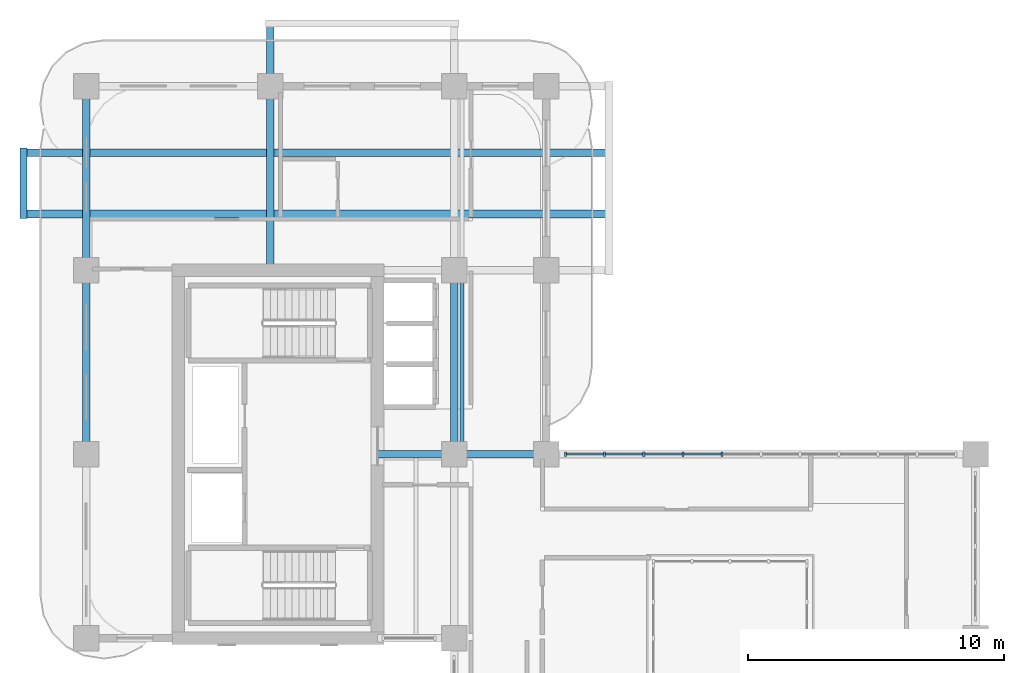
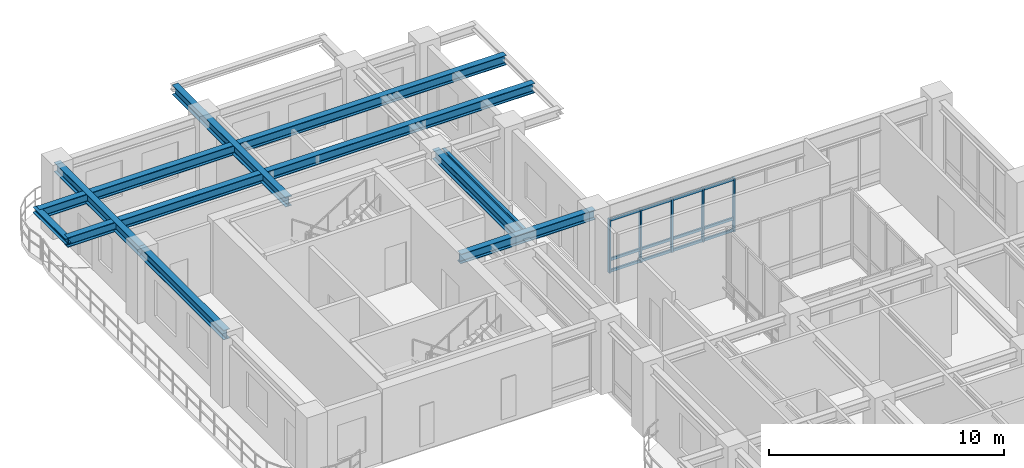
# One storey, part 5 of 21: 17 members, 9 beams, 1 element without a shape of its own.
"""IFC4 building model written with IfcOpenShell, lengths in metres."""

from ifc_helpers import new_model, si_unit, derived_unit, direction, frame, origin, origin_2d, place, context, subcontext, project, spatial, rectangle, i_section, extrude, source, transform, mapped, material, layer, layer_set, material_profile, profile_set, type_object, type_shapes, element, aggregate, save


model = new_model("IFC4")

# Units and contexts
model_context = context("Model", 3, precision=1e-05, world=origin(), true_north=direction((0.0, 1.0)))
body_context = subcontext(model_context, "Body", "Model", "MODEL_VIEW")
ifc_project = project(units=[si_unit("LENGTHUNIT", "METRE"), si_unit("AREAUNIT", "SQUARE_METRE"), si_unit("VOLUMEUNIT", "CUBIC_METRE"), si_unit("PLANEANGLEUNIT", "RADIAN"), si_unit("MASSUNIT", "GRAM", prefix="KILO"), si_unit("THERMODYNAMICTEMPERATUREUNIT", "KELVIN"), si_unit("POWERUNIT", "WATT"), derived_unit("THERMALTRANSMITTANCEUNIT", [(si_unit("POWERUNIT", "WATT"), 1), (si_unit("AREAUNIT", "SQUARE_METRE"), -1), (si_unit("THERMODYNAMICTEMPERATUREUNIT", "KELVIN"), -1)])], contexts=[model_context])

# Site, building, storey
site_placement = place(None, origin())
site = spatial("IfcSite", under=ifc_project, at=site_placement, CompositionType="ELEMENT")
building_placement = place(site_placement, origin())
building = spatial("IfcBuilding", under=site, at=building_placement, Name="Zahravan Archway Hotel and Residences", CompositionType="ELEMENT")
storey_placement = place(building_placement, frame((0.0, 0.0, 165.699951171875)))
storey = spatial("IfcBuildingStorey", under=building, at=storey_placement, Name="L41", CompositionType="ELEMENT", Elevation=165.699951171875)

# Beams
ifc_material_1 = material(Name="Structural Steel S355JR", Category="steel")
ifc_material_profile_1 = material_profile(ifc_material_1, i_section(OverallWidth=0.280029296875, OverallDepth=0.280029296875, WebThickness=0.010498046875, FlangeThickness=0.01806640625, FilletRadius=0.02392578125, at=origin_2d()), Name="HEB 280", Category="steel")
ifc_profile_set_1 = profile_set([ifc_material_profile_1], Name="Structural Steel S355JR")
beam_type_1 = type_object("IfcBeamType", Name="BM-SPN-HEB280", PredefinedType="SPANDREL", material=ifc_profile_set_1)
shared_shape_1 = source(origin(), body_context, "Body", "SweptSolid", [
    extrude(i_section(OverallWidth=0.280029296875, OverallDepth=0.280029296875, WebThickness=0.010498046875, FlangeThickness=0.01806640625, FilletRadius=0.02392578125, at=origin_2d()), origin(), (0.0, 0.0, 1.0), 2.759765625),
])
beam_1_placement = place(storey_placement, frame((-2.449951171875, 41.6201171875, 3.4599609375), z_axis=(0.0, 1.0, 0.0), x_axis=(-1.0, 0.0, 0.0)))
element("IfcBeam", 1, at=beam_1_placement, inside=storey, type_object=beam_type_1, Name="L42 WB Balcony Edge Spandrel", PredefinedType="SPANDREL", context=body_context, shape_type="MappedRepresentation", body=[
    mapped(shared_shape_1, transform((0.0, 0.0, 0.0), scale=1.0)),
])
ifc_material_profile_2 = material_profile(ifc_material_1, i_section(OverallWidth=0.300048828125, OverallDepth=0.5, WebThickness=0.014404296875, FlangeThickness=0.028076171875, FilletRadius=0.027099609375, at=origin_2d()), Name="HEB 500", Category="steel")
ifc_profile_set_2 = profile_set([ifc_material_profile_2], Name="Structural Steel S355JR")
beam_type_2 = type_object("IfcBeamType", Name="BM-PRI-HEB500", PredefinedType="BEAM", material=ifc_profile_set_2)
shared_shape_2 = source(origin(), body_context, "Body", "SweptSolid", [
    extrude(i_section(OverallWidth=0.300048828125, OverallDepth=0.5, WebThickness=0.014404296875, FlangeThickness=0.028076171875, FilletRadius=0.027099609375, at=origin_2d()), origin(), (0.0, 0.0, 1.0), 7.2001953125),
])
type_shapes(beam_type_2, [shared_shape_2])
for number, where, z_axis, x_axis, name in (
    (2, (0.0, 32.39990234375, 3.35009765625), (0.0, 1.0, 0.0), (-1.0, 0.0, 0.0), "L41 Primary Girder NS-25"),
    (3, (14.39990234375, 32.39990234375, 3.35009765625), (0.0, 1.0, 0.0), (-1.0, 0.0, 0.0), "L41 Primary Girder NS-33"),
):
    element("IfcBeam", number, at=place(storey_placement, frame(where, z_axis=z_axis, x_axis=x_axis)), inside=storey, type_object=beam_type_2, Name=name, PredefinedType="BEAM", context=body_context, shape_type="MappedRepresentation", body=[
        mapped(shared_shape_2, transform((0.0, 0.0, 0.0), scale=1.0)),
    ])
shared_shape_3 = source(origin(), body_context, "Body", "SweptSolid", [
    extrude(i_section(OverallWidth=0.300048828125, OverallDepth=0.5, WebThickness=0.014404296875, FlangeThickness=0.028076171875, FilletRadius=0.027099609375, at=origin_2d()), origin(), (0.0, 0.0, 1.0), 7.199951171875),
])
beam_2_placement = place(storey_placement, frame((0.0, 39.60009765625, 3.35009765625), z_axis=(0.0, 1.0, 0.0), x_axis=(-1.0, 0.0, 0.0)))
element("IfcBeam", 4, at=beam_2_placement, inside=storey, type_object=beam_type_2, Name="L41 Primary Girder NS-26", PredefinedType="BEAM", context=body_context, shape_type="MappedRepresentation", body=[
    mapped(shared_shape_3, transform((0.0, 0.0, 0.0), scale=1.0)),
])
shared_shape_4 = source(origin(), body_context, "Body", "SweptSolid", [
    extrude(i_section(OverallWidth=0.300048828125, OverallDepth=0.5, WebThickness=0.014404296875, FlangeThickness=0.028076171875, FilletRadius=0.027099609375, at=origin_2d()), origin(), (0.0, 0.0, 1.0), 6.60009765625),
])
beam_3_placement = place(storey_placement, frame((11.39990234375, 32.39990234375, 3.35009765625), z_axis=(1.0, 0.0, 0.0), x_axis=(0.0, 1.0, 0.0)))
element("IfcBeam", 5, at=beam_3_placement, inside=storey, type_object=beam_type_2, Name="L41 Primary Girder EW-17", PredefinedType="BEAM", context=body_context, shape_type="MappedRepresentation", body=[
    mapped(shared_shape_4, transform((0.0, 0.0, 0.0), scale=1.0)),
])
shared_shape_5 = source(origin(), body_context, "Body", "SweptSolid", [
    extrude(i_section(OverallWidth=0.300048828125, OverallDepth=0.5, WebThickness=0.014404296875, FlangeThickness=0.028076171875, FilletRadius=0.027099609375, at=origin_2d()), origin(), (0.0, 0.0, 1.0), 22.89990234375),
])
for number, where, z_axis, x_axis, name in (
    (6, (-2.449951171875, 41.800048828125, 3.35009765625), (1.0, 0.0, 0.0), (0.0, 1.0, 0.0), "L41 Primary Girder EW-22"),
    (7, (-2.449951171875, 44.199951171875, 3.35009765625), (1.0, 0.0, 0.0), (0.0, 1.0, 0.0), "L41 Primary Girder EW-23"),
):
    element("IfcBeam", number, at=place(storey_placement, frame(where, z_axis=z_axis, x_axis=x_axis)), inside=storey, type_object=beam_type_2, Name=name, PredefinedType="BEAM", context=body_context, shape_type="MappedRepresentation", body=[
        mapped(shared_shape_5, transform((0.0, 0.0, 0.0), scale=1.0)),
    ])
shared_shape_6 = source(origin(), body_context, "Body", "SweptSolid", [
    extrude(i_section(OverallWidth=0.300048828125, OverallDepth=0.5, WebThickness=0.014404296875, FlangeThickness=0.028076171875, FilletRadius=0.027099609375, at=origin_2d()), origin(), (0.0, 0.0, 1.0), 9.64990234375),
])
beam_4_placement = place(storey_placement, frame((7.199951171875, 39.60009765625, 3.35009765625), z_axis=(0.0, 1.0, 0.0), x_axis=(-1.0, 0.0, 0.0)))
element("IfcBeam", 8, at=beam_4_placement, inside=storey, type_object=beam_type_2, Name="L41 Primary Girder NS-27", PredefinedType="BEAM", context=body_context, shape_type="MappedRepresentation", body=[
    mapped(shared_shape_6, transform((0.0, 0.0, 0.0), scale=1.0)),
])
ifc_material_profile_3 = material_profile(ifc_material_1, i_section(OverallWidth=0.14990234375, OverallDepth=0.300048828125, WebThickness=0.007080078125, FlangeThickness=0.0107421875, FilletRadius=0.014892578125, at=origin_2d()), Name="IPE 300", Category="steel")
ifc_profile_set_3 = profile_set([ifc_material_profile_3], Name="Structural Steel S355JR")
beam_type_3 = type_object("IfcBeamType", Name="BM-JST-IPE300", PredefinedType="JOIST", material=ifc_profile_set_3)
shared_shape_7 = source(origin(), body_context, "Body", "SweptSolid", [
    extrude(i_section(OverallWidth=0.14990234375, OverallDepth=0.300048828125, WebThickness=0.007080078125, FlangeThickness=0.0107421875, FilletRadius=0.014892578125, at=origin_2d()), origin(), (0.0, 0.0, 1.0), 6.90380859375),
])
beam_5_placement = place(storey_placement, frame((14.699951171875, 32.548095703125, 3.449951171875), z_axis=(0.0, 1.0, 0.0), x_axis=(-1.0, 0.0, 0.0)))
element("IfcBeam", 9, at=beam_5_placement, inside=storey, type_object=beam_type_3, Name="L41 Composite Floor Joist 11", PredefinedType="JOIST", context=body_context, shape_type="MappedRepresentation", body=[
    mapped(shared_shape_7, transform((0.0, 0.0, 0.0), scale=1.0)),
])

# Curtain wall, members
ifc_material_2 = material(Name="Bronze-Anodized Unitised Aluminium & Low-E Glass", Category="aluminium")
ifc_layer = layer(ifc_material_2, 0.179931640625, Name="Bronze-Anodized Unitised Aluminium & Low-E Glass", Category="aluminium")
ifc_layer_set = layer_set([ifc_layer], Name="Bronze-Anodized Unitised Aluminium & Low-E Glass")
curtain_wall_type = type_object("IfcCurtainWallType", Name="CW-ATR-GLAZ", PredefinedType="NOTDEFINED", material=ifc_layer_set)
curtain_wall_placement = place(storey_placement, origin())
curtain_wall = element("IfcCurtainWall", 10, at=curtain_wall_placement, inside=storey, type_object=curtain_wall_type, Name="L41 Curtain Wall CW-L41-HNG-N-1", PredefinedType="NOTDEFINED")
ifc_material_3 = material(Name="Bronze-Anodized Extruded Aluminium", Category="aluminium")
ifc_material_profile_4 = material_profile(ifc_material_3, rectangle(XDim=0.080078125, YDim=0.139892578125, at=origin_2d()), Name="TRN 80x140", Category="aluminium")
ifc_profile_set_4 = profile_set([ifc_material_profile_4], Name="Bronze-Anodized Extruded Aluminium")
member_type_1 = type_object("IfcMemberType", Name="CWM-TRN-140", PredefinedType="USERDEFINED", material=ifc_profile_set_4)
shared_shape_8 = source(origin(), body_context, "Body", "SweptSolid", [
    extrude(rectangle(XDim=0.080078125, YDim=0.139892578125, at=origin_2d()), origin(), (0.0, 0.0, 1.0), 1.447998046875),
])
member_1_placement = place(storey_placement, frame((18.800048828125, 32.39990234375, 0.070068359375), z_axis=(1.0, 0.0, 0.0), x_axis=(0.0, 1.0, 0.0)))
member_1 = element("IfcMember", 11, at=member_1_placement, type_object=member_type_1, Name="CW-L41-HNG-N-1 Transom 0-1", ObjectType="TRANSOM", PredefinedType="USERDEFINED", context=body_context, shape_type="MappedRepresentation", body=[
    mapped(shared_shape_8, transform((0.0, 0.0, 0.0), scale=1.0)),
])
member_2_placement = place(storey_placement, frame((18.800048828125, 32.39990234375, 0.66845703125), z_axis=(1.0, 0.0, 0.0), x_axis=(0.0, 1.0, 0.0)))
member_2 = element("IfcMember", 12, at=member_2_placement, type_object=member_type_1, Name="CW-L41-HNG-N-1 Transom 0-2", ObjectType="TRANSOM", PredefinedType="USERDEFINED", context=body_context, shape_type="MappedRepresentation", body=[
    mapped(shared_shape_8, transform((0.0, 0.0, 0.0), scale=1.0)),
])
member_3_placement = place(storey_placement, frame((18.800048828125, 32.39990234375, 2.715087890625), z_axis=(1.0, 0.0, 0.0), x_axis=(0.0, 1.0, 0.0)))
member_3 = element("IfcMember", 13, at=member_3_placement, type_object=member_type_1, Name="CW-L41-HNG-N-1 Transom 0-3", ObjectType="TRANSOM", PredefinedType="USERDEFINED", context=body_context, shape_type="MappedRepresentation", body=[
    mapped(shared_shape_8, transform((0.0, 0.0, 0.0), scale=1.0)),
])
member_4_placement = place(storey_placement, frame((20.327880859375, 32.39990234375, 0.070068359375), z_axis=(1.0, 0.0, 0.0), x_axis=(0.0, 1.0, 0.0)))
member_4 = element("IfcMember", 14, at=member_4_placement, type_object=member_type_1, Name="CW-L41-HNG-N-1 Transom 1-1", ObjectType="TRANSOM", PredefinedType="USERDEFINED", context=body_context, shape_type="MappedRepresentation", body=[
    mapped(shared_shape_8, transform((0.0, 0.0, 0.0), scale=1.0)),
])
member_5_placement = place(storey_placement, frame((20.327880859375, 32.39990234375, 0.66845703125), z_axis=(1.0, 0.0, 0.0), x_axis=(0.0, 1.0, 0.0)))
member_5 = element("IfcMember", 15, at=member_5_placement, type_object=member_type_1, Name="CW-L41-HNG-N-1 Transom 1-2", ObjectType="TRANSOM", PredefinedType="USERDEFINED", context=body_context, shape_type="MappedRepresentation", body=[
    mapped(shared_shape_8, transform((0.0, 0.0, 0.0), scale=1.0)),
])
member_6_placement = place(storey_placement, frame((20.327880859375, 32.39990234375, 2.715087890625), z_axis=(1.0, 0.0, 0.0), x_axis=(0.0, 1.0, 0.0)))
member_6 = element("IfcMember", 16, at=member_6_placement, type_object=member_type_1, Name="CW-L41-HNG-N-1 Transom 1-3", ObjectType="TRANSOM", PredefinedType="USERDEFINED", context=body_context, shape_type="MappedRepresentation", body=[
    mapped(shared_shape_8, transform((0.0, 0.0, 0.0), scale=1.0)),
])
member_7_placement = place(storey_placement, frame((21.85595703125, 32.39990234375, 0.070068359375), z_axis=(1.0, 0.0, 0.0), x_axis=(0.0, 1.0, 0.0)))
member_7 = element("IfcMember", 17, at=member_7_placement, type_object=member_type_1, Name="CW-L41-HNG-N-1 Transom 2-1", ObjectType="TRANSOM", PredefinedType="USERDEFINED", context=body_context, shape_type="MappedRepresentation", body=[
    mapped(shared_shape_8, transform((0.0, 0.0, 0.0), scale=1.0)),
])
member_8_placement = place(storey_placement, frame((21.85595703125, 32.39990234375, 0.66845703125), z_axis=(1.0, 0.0, 0.0), x_axis=(0.0, 1.0, 0.0)))
member_8 = element("IfcMember", 18, at=member_8_placement, type_object=member_type_1, Name="CW-L41-HNG-N-1 Transom 2-2", ObjectType="TRANSOM", PredefinedType="USERDEFINED", context=body_context, shape_type="MappedRepresentation", body=[
    mapped(shared_shape_8, transform((0.0, 0.0, 0.0), scale=1.0)),
])
member_9_placement = place(storey_placement, frame((21.85595703125, 32.39990234375, 2.715087890625), z_axis=(1.0, 0.0, 0.0), x_axis=(0.0, 1.0, 0.0)))
member_9 = element("IfcMember", 19, at=member_9_placement, type_object=member_type_1, Name="CW-L41-HNG-N-1 Transom 2-3", ObjectType="TRANSOM", PredefinedType="USERDEFINED", context=body_context, shape_type="MappedRepresentation", body=[
    mapped(shared_shape_8, transform((0.0, 0.0, 0.0), scale=1.0)),
])
member_10_placement = place(storey_placement, frame((23.384033203125, 32.39990234375, 0.070068359375), z_axis=(1.0, 0.0, 0.0), x_axis=(0.0, 1.0, 0.0)))
member_10 = element("IfcMember", 20, at=member_10_placement, type_object=member_type_1, Name="CW-L41-HNG-N-1 Transom 3-1", ObjectType="TRANSOM", PredefinedType="USERDEFINED", context=body_context, shape_type="MappedRepresentation", body=[
    mapped(shared_shape_8, transform((0.0, 0.0, 0.0), scale=1.0)),
])
member_11_placement = place(storey_placement, frame((23.384033203125, 32.39990234375, 0.66845703125), z_axis=(1.0, 0.0, 0.0), x_axis=(0.0, 1.0, 0.0)))
member_11 = element("IfcMember", 21, at=member_11_placement, type_object=member_type_1, Name="CW-L41-HNG-N-1 Transom 3-2", ObjectType="TRANSOM", PredefinedType="USERDEFINED", context=body_context, shape_type="MappedRepresentation", body=[
    mapped(shared_shape_8, transform((0.0, 0.0, 0.0), scale=1.0)),
])
member_12_placement = place(storey_placement, frame((23.384033203125, 32.39990234375, 2.715087890625), z_axis=(1.0, 0.0, 0.0), x_axis=(0.0, 1.0, 0.0)))
member_12 = element("IfcMember", 22, at=member_12_placement, type_object=member_type_1, Name="CW-L41-HNG-N-1 Transom 3-3", ObjectType="TRANSOM", PredefinedType="USERDEFINED", context=body_context, shape_type="MappedRepresentation", body=[
    mapped(shared_shape_8, transform((0.0, 0.0, 0.0), scale=1.0)),
])
ifc_material_profile_5 = material_profile(ifc_material_3, rectangle(XDim=0.080078125, YDim=0.159912109375, at=origin_2d()), Name="MUL 80x160", Category="aluminium")
ifc_profile_set_5 = profile_set([ifc_material_profile_5], Name="Bronze-Anodized Extruded Aluminium")
member_type_2 = type_object("IfcMemberType", Name="CWM-MUL-160", PredefinedType="MULLION", material=ifc_profile_set_5)
shared_shape_9 = source(origin(), body_context, "Body", "SweptSolid", [
    extrude(rectangle(XDim=0.080078125, YDim=0.159912109375, at=origin_2d()), origin(), (0.0, 0.0, 1.0), 2.78515625),
])
member_13_placement = place(storey_placement, frame((18.760009765625, 32.39990234375, 0.0), z_axis=(0.0, 0.0, 1.0), x_axis=(1.0, 0.0, 0.0)))
member_13 = element("IfcMember", 23, at=member_13_placement, type_object=member_type_2, Name="CW-L41-HNG-N-1 Mullion 0", PredefinedType="MULLION", context=body_context, shape_type="MappedRepresentation", body=[
    mapped(shared_shape_9, transform((0.0, 0.0, 0.0), scale=1.0)),
])
member_14_placement = place(storey_placement, frame((20.2880859375, 32.39990234375, 0.0), z_axis=(0.0, 0.0, 1.0), x_axis=(1.0, 0.0, 0.0)))
member_14 = element("IfcMember", 24, at=member_14_placement, type_object=member_type_2, Name="CW-L41-HNG-N-1 Mullion 1", PredefinedType="MULLION", context=body_context, shape_type="MappedRepresentation", body=[
    mapped(shared_shape_9, transform((0.0, 0.0, 0.0), scale=1.0)),
])
member_15_placement = place(storey_placement, frame((21.81591796875, 32.39990234375, 0.0), z_axis=(0.0, 0.0, 1.0), x_axis=(1.0, 0.0, 0.0)))
member_15 = element("IfcMember", 25, at=member_15_placement, type_object=member_type_2, Name="CW-L41-HNG-N-1 Mullion 2", PredefinedType="MULLION", context=body_context, shape_type="MappedRepresentation", body=[
    mapped(shared_shape_9, transform((0.0, 0.0, 0.0), scale=1.0)),
])
member_16_placement = place(storey_placement, frame((23.343994140625, 32.39990234375, 0.0), z_axis=(0.0, 0.0, 1.0), x_axis=(1.0, 0.0, 0.0)))
member_16 = element("IfcMember", 26, at=member_16_placement, type_object=member_type_2, Name="CW-L41-HNG-N-1 Mullion 3", PredefinedType="MULLION", context=body_context, shape_type="MappedRepresentation", body=[
    mapped(shared_shape_9, transform((0.0, 0.0, 0.0), scale=1.0)),
])
member_17_placement = place(storey_placement, frame((24.8720703125, 32.39990234375, 0.0), z_axis=(0.0, 0.0, 1.0), x_axis=(1.0, 0.0, 0.0)))
member_17 = element("IfcMember", 27, at=member_17_placement, type_object=member_type_2, Name="CW-L41-HNG-N-1 Mullion 4", PredefinedType="MULLION", context=body_context, shape_type="MappedRepresentation", body=[
    mapped(shared_shape_9, transform((0.0, 0.0, 0.0), scale=1.0)),
])
aggregate(curtain_wall, [member_13, member_14, member_15, member_16, member_17, member_1, member_2, member_3, member_4, member_5, member_6, member_7, member_8, member_9, member_10, member_11, member_12])

save(model, "model.ifc")
